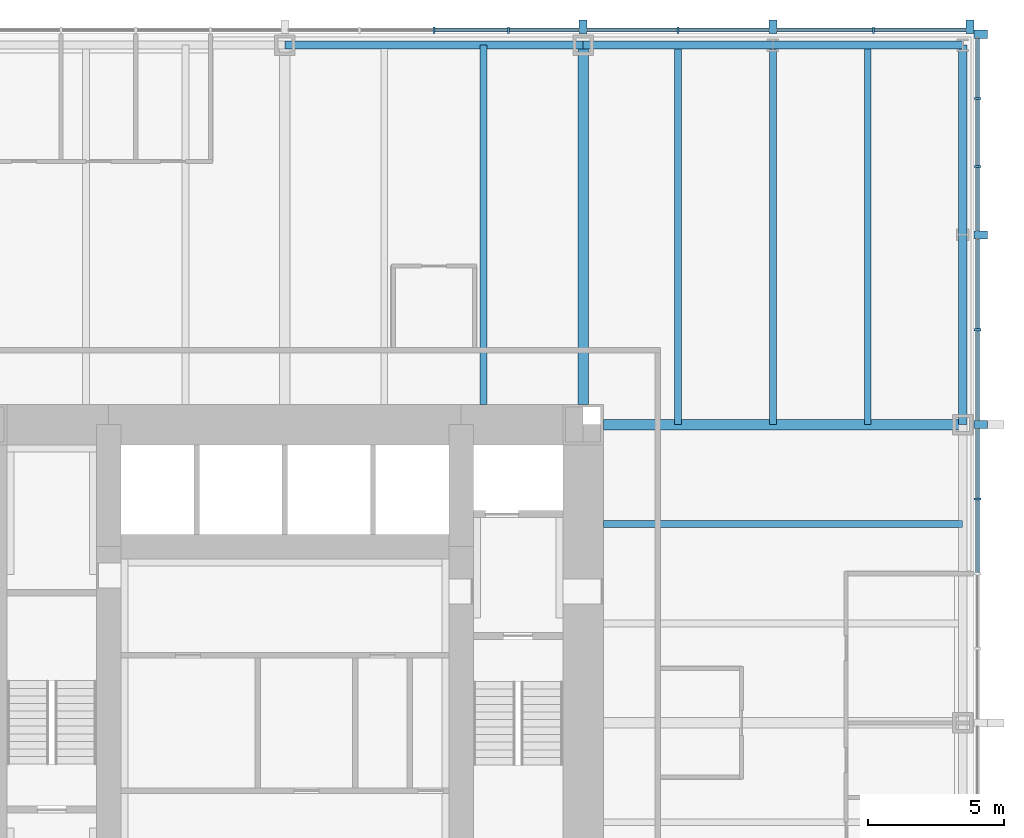
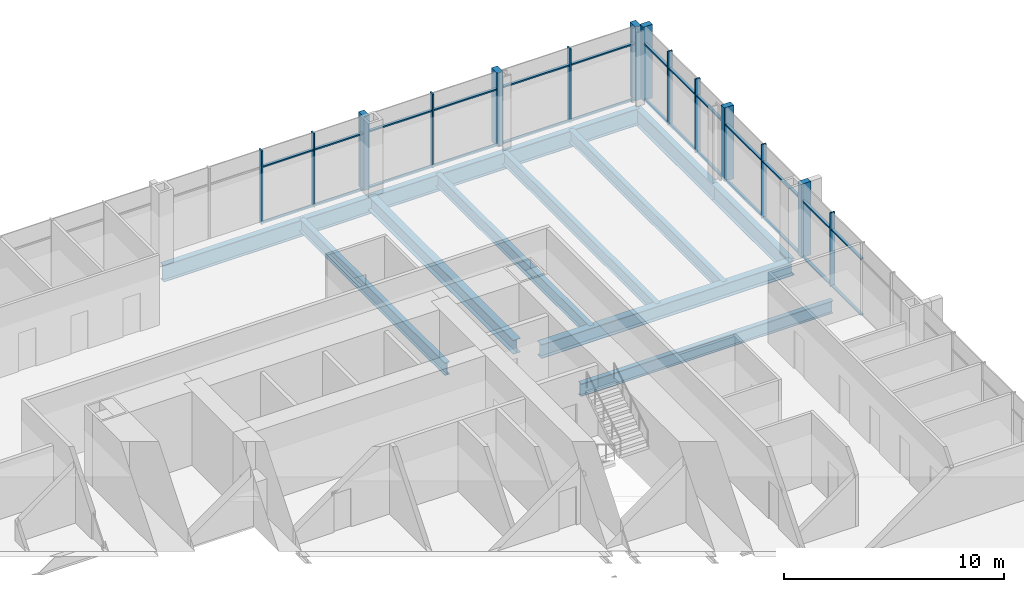
# One storey, part 6 of 12: 40 members, 12 beams, 2 elements without a shape of their own.
"""IFC4 building model written with IfcOpenShell, lengths in metres."""

import ifcopenshell
import ifcopenshell.guid

model = None  # the IFC model being written
_history = None  # IfcOwnerHistory: only IFC2X3 demands one
_inside = {}  # id of a spatial element -> (the spatial element, [elements in it])
_under = {}  # id of a project, library or spatial element -> (it, [spatial elements below it])
_declared = {}  # id of a project -> (the project, [libraries it declares])
_typed = {}  # id of a type object -> (the type object, [elements of that type])
_made_of = {}  # id of a material, layer set ... -> (it, [elements and type objects made of it])


def new_model(schema):
    """Start an empty IFC model of exactly this schema.

    Asked for "IFC4X3", IfcOpenShell would pick the latest addendum, in which some entities
    have other attributes; the version numbers below select the first issue.
    IFC2X3 requires an IfcOwnerHistory on every rooted entity: one is made here for all.
    """
    global model, _history
    if schema == "IFC4X3":
        model = ifcopenshell.file(schema_version=(4, 3, 0, 0))
    else:
        model = ifcopenshell.file(schema=schema)
    _inside.clear()
    _under.clear()
    _declared.clear()
    _typed.clear()
    _made_of.clear()
    _history = None
    if model.schema == "IFC2X3":
        org = make("IfcOrganization", Name="unknown")
        user = make(
            "IfcPersonAndOrganization",
            ThePerson=make("IfcPerson", FamilyName="unknown"),
            TheOrganization=org,
        )
        app = make(
            "IfcApplication",
            ApplicationDeveloper=org,
            Version="unknown",
            ApplicationFullName="unknown",
            ApplicationIdentifier="unknown",
        )
        _history = make(
            "IfcOwnerHistory",
            OwningUser=user,
            OwningApplication=app,
            ChangeAction="ADDED",
            CreationDate=0,
        )
    return model


def make(cls, **values):
    """One entity of the class cls with the attributes given. An attribute that is None is left unset."""
    return model.create_entity(
        cls, **{name: value for name, value in values.items() if value is not None}
    )


def rooted(cls, **values):
    """An entity with a GlobalId (a new one), such as an element, a storey or a relation."""
    return make(cls, GlobalId=ifcopenshell.guid.new(), OwnerHistory=_history, **values)


def si_unit(unit_type, name, prefix=None):
    """IfcSIUnit, for example si_unit("LENGTHUNIT", "METRE", prefix="MILLI")."""
    return make("IfcSIUnit", UnitType=unit_type, Prefix=prefix, Name=name)


def assignment(units):
    """IfcUnitAssignment: the units of a project."""
    return None if units is None else make("IfcUnitAssignment", Units=units)


def point(xyz):
    """IfcCartesianPoint."""
    return None if xyz is None else make("IfcCartesianPoint", Coordinates=xyz)


def direction(xyz):
    """IfcDirection."""
    return None if xyz is None else make("IfcDirection", DirectionRatios=xyz)


def frame(location, z_axis=None, x_axis=None):
    """IfcAxis2Placement3D, a coordinate frame: its origin and axes. An axis left out is left unset."""
    return make(
        "IfcAxis2Placement3D",
        Location=point(location),
        Axis=direction(z_axis),
        RefDirection=direction(x_axis),
    )


def frame_2d(location, x_axis=None):
    """IfcAxis2Placement2D, a coordinate frame in the plane: its origin and x axis."""
    return make(
        "IfcAxis2Placement2D", Location=point(location), RefDirection=direction(x_axis)
    )


def origin():
    """The frame at (0, 0, 0) with its axes left unset."""
    return frame((0.0, 0.0, 0.0))


def origin_2d():
    """The frame at (0, 0) in the plane with its x axis left unset."""
    return frame_2d((0.0, 0.0))


def place(relative_to, where):
    """IfcLocalPlacement: puts the frame where relative to a parent placement (None: the world)."""
    return make(
        "IfcLocalPlacement", PlacementRelTo=relative_to, RelativePlacement=where
    )


def context(
    kind, dimensions, precision=None, world=None, true_north=None, identifier=None
):
    """IfcGeometricRepresentationContext, for example the 3D "Model" context."""
    return make(
        "IfcGeometricRepresentationContext",
        ContextIdentifier=identifier,
        ContextType=kind,
        CoordinateSpaceDimension=dimensions,
        Precision=precision,
        WorldCoordinateSystem=world,
        TrueNorth=true_north,
    )


def subcontext(parent, identifier, kind, view, scale=None):
    """IfcGeometricRepresentationSubContext, for example "Body" below "Model"."""
    return make(
        "IfcGeometricRepresentationSubContext",
        ContextIdentifier=identifier,
        ContextType=kind,
        ParentContext=parent,
        TargetScale=scale,
        TargetView=view,
    )


def project(units=None, contexts=None):
    """IfcProject with its units and contexts."""
    return rooted(
        "IfcProject",
        Name="project",
        RepresentationContexts=contexts,
        UnitsInContext=assignment(units),
    )


def spatial(cls, under=None, at=None, **own):
    """A site, building, storey or space (cls), placed at a placement, below another one or the project."""
    s = rooted(cls, ObjectPlacement=at, **own)
    if under is not None:
        _under.setdefault(under.id(), (under, []))[1].append(s)
    return s


def profile(cls, at=None, kind="AREA", **sizes):
    """A parametric profile (cls). Its sizes go by their IFC names, for example OverallWidth=200.0."""
    return make(cls, ProfileType=kind, Position=at, **sizes)


def rectangle(**sizes):
    """IfcRectangleProfileDef."""
    return profile("IfcRectangleProfileDef", **sizes)


def i_section(**sizes):
    """IfcIShapeProfileDef."""
    return profile("IfcIShapeProfileDef", **sizes)


def extrude(swept, where, along, depth):
    """IfcExtrudedAreaSolid: the profile swept, set in the frame where, extruded along a direction by depth."""
    return make(
        "IfcExtrudedAreaSolid",
        SweptArea=swept,
        Position=where,
        ExtrudedDirection=direction(along),
        Depth=depth,
    )


def shape(context_of_items, identifier, shape_type, items):
    """IfcShapeRepresentation: the items that make up one representation, for example the "Body"."""
    return make(
        "IfcShapeRepresentation",
        ContextOfItems=context_of_items,
        RepresentationIdentifier=identifier,
        RepresentationType=shape_type,
        Items=items,
    )


def material(Name=None, Category=None):
    """IfcMaterial."""
    return make("IfcMaterial", Name=Name, Category=Category)


def material_profile(
    of_material, cross_section, Name=None, Category=None, Priority=None
):
    """IfcMaterialProfile: a cross section and its material."""
    return make(
        "IfcMaterialProfile",
        Name=Name,
        Material=of_material,
        Profile=cross_section,
        Priority=Priority,
        Category=Category,
    )


def profile_set(profiles, Name=None, composite=None):
    """IfcMaterialProfileSet."""
    return make(
        "IfcMaterialProfileSet",
        Name=Name,
        MaterialProfiles=profiles,
        CompositeProfile=composite,
    )


def made_of(thing, what):
    """Note that an element or type object is made of a material, layer set ...; save() writes the relation."""
    if what is not None:
        _made_of.setdefault(what.id(), (what, []))[1].append(thing)
    return thing


def type_object(cls, material=None, **own):
    """A type object (cls), such as IfcWallType, which elements share."""
    return made_of(rooted(cls, **own), material)


def element(
    cls,
    number,
    at=None,
    inside=None,
    cuts=None,
    type_object=None,
    material=None,
    context=None,
    identifier="Body",
    shape_type=None,
    held_by="IfcProductDefinitionShape",
    body=None,
    shapes=None,
    **own,
):
    """One element of the class cls, such as IfcWall. Its Tag is "e" and its number.

    at: its placement. inside: the storey or other place that contains it. cuts: it is an
    opening in that element (IfcRelVoidsElement). A single representation is given by context,
    identifier, shape_type and body (its items); several are given by shapes. held_by: the class
    of the entity that holds the representations. save() writes the other relations.
    """
    e = rooted(cls, Tag="e%d" % number, ObjectPlacement=at, **own)
    if body is not None:
        shapes = [shape(context, identifier, shape_type, body)]
    if shapes is not None:
        e.Representation = make(held_by, Representations=shapes)
    if inside is not None:
        _inside.setdefault(inside.id(), (inside, []))[1].append(e)
    if cuts is not None:
        rooted(
            "IfcRelVoidsElement", RelatingBuildingElement=cuts, RelatedOpeningElement=e
        )
    if type_object is not None:
        _typed.setdefault(type_object.id(), (type_object, []))[1].append(e)
    return made_of(e, material)


def aggregate(whole, parts):
    """IfcRelAggregates: a whole, such as a stair, and the parts it consists of."""
    return rooted("IfcRelAggregates", RelatingObject=whole, RelatedObjects=parts)


def save(model, path):
    """Write the relations noted so far, then the file.

    IfcRelAggregates (storeys below a building ...), IfcRelContainedInSpatialStructure (elements
    in a storey), IfcRelDefinesByType, IfcRelAssociatesMaterial and IfcRelDeclares: one each for
    every whole, place, type object, material and project.
    """
    for whole, parts in _under.values():
        aggregate(whole, parts)
    for where, things in _inside.values():
        rooted(
            "IfcRelContainedInSpatialStructure",
            RelatedElements=things,
            RelatingStructure=where,
        )
    for kind, things in _typed.values():
        rooted("IfcRelDefinesByType", RelatedObjects=things, RelatingType=kind)
    for what, things in _made_of.values():
        rooted("IfcRelAssociatesMaterial", RelatedObjects=things, RelatingMaterial=what)
    for by, libraries in _declared.values():
        rooted("IfcRelDeclares", RelatingContext=by, RelatedDefinitions=libraries)
    model.write(path)


model = new_model("IFC4")

# Units and contexts
model_context = context("Model", 3, precision=1e-05, world=origin(), true_north=direction((0.0, 1.0)))
body_context = subcontext(model_context, "Body", "Model", "MODEL_VIEW")
ifc_project = project(units=[si_unit("LENGTHUNIT", "METRE"), si_unit("AREAUNIT", "SQUARE_METRE"), si_unit("VOLUMEUNIT", "CUBIC_METRE"), si_unit("PLANEANGLEUNIT", "RADIAN"), si_unit("MASSUNIT", "GRAM", prefix="KILO")], contexts=[model_context])

# Site, building, storey
site_placement = place(None, origin())
site = spatial("IfcSite", under=ifc_project, at=site_placement, CompositionType="ELEMENT")
building_placement = place(site_placement, origin())
building = spatial("IfcBuilding", under=site, at=building_placement, Name="Trevanion Tower", CompositionType="ELEMENT")
storey_placement = place(building_placement, frame((0.0, 0.0, 36.5)))
storey = spatial("IfcBuildingStorey", under=building, at=storey_placement, Name="L08", CompositionType="ELEMENT", Elevation=36.5)

# Beams
ifc_material_1 = material(Name="Steel ASTM A992 Grade 50", Category="steel")
ifc_material_profile_1 = material_profile(ifc_material_1, i_section(OverallWidth=0.25390625, OverallDepth=0.700927734375, WebThickness=0.015380859375, FlangeThickness=0.02783203125, at=origin_2d()), Name="W27X129")
ifc_profile_set_1 = profile_set([ifc_material_profile_1], Name="Steel ASTM A992 Grade 50")
beam_type_1 = type_object("IfcBeamType", Name="B3 W27X129", PredefinedType="BEAM", material=ifc_profile_set_1)
for number, where, z_axis, x_axis, name in (
    (1, (11.75, 7.333251953125, -0.54052734375), (1.0, 0.0, 0.0), (0.0, 1.0, 0.0), "B3 L08"),
    (2, (7.333251953125, 11.75, -0.54052734375), (0.0, 1.0, 0.0), (-1.0, 0.0, 0.0), "B3 L08"),
):
    element("IfcBeam", number, at=place(storey_placement, frame(where, z_axis=z_axis, x_axis=x_axis)), inside=storey, type_object=beam_type_1, Name=name, PredefinedType="BEAM", context=body_context, shape_type="SweptSolid", body=[
        extrude(i_section(OverallWidth=0.25390625, OverallDepth=0.700927734375, WebThickness=0.015380859375, FlangeThickness=0.02783203125, at=origin_2d()), origin(), (0.0, 0.0, 1.0), 13.25),
    ])
ifc_material_2 = material(Name="Steel ASTM A992 Grade 50", Category="steel")
ifc_material_profile_2 = material_profile(ifc_material_2, i_section(OverallWidth=0.256591796875, OverallDepth=0.693359375, WebThickness=0.014404296875, FlangeThickness=0.023681640625, at=origin_2d()), Name="W27X114")
ifc_profile_set_2 = profile_set([ifc_material_profile_2], Name="Steel ASTM A992 Grade 50")
beam_type_2 = type_object("IfcBeamType", Name="B4 W27X114", PredefinedType="BEAM", material=ifc_profile_set_2)
for number, where, z_axis, x_axis, name in (
    (3, (14.5, 11.0, -0.53662109375), (0.0, 1.0, 0.0), (-1.0, 0.0, 0.0), "B4 L08"),
    (4, (18.0, 11.0, -0.53662109375), (0.0, 1.0, 0.0), (-1.0, 0.0, 0.0), "B4 L08"),
    (5, (21.5, 11.0, -0.53662109375), (0.0, 1.0, 0.0), (-1.0, 0.0, 0.0), "B4 L08"),
):
    element("IfcBeam", number, at=place(storey_placement, frame(where, z_axis=z_axis, x_axis=x_axis)), inside=storey, type_object=beam_type_2, Name=name, PredefinedType="BEAM", context=body_context, shape_type="SweptSolid", body=[
        extrude(i_section(OverallWidth=0.256591796875, OverallDepth=0.693359375, WebThickness=0.014404296875, FlangeThickness=0.023681640625, at=origin_2d()), origin(), (0.0, 0.0, 1.0), 14.0),
    ])

# Curtain wall, members
ifc_material_3 = material(Name="Aluminium and glass", Category="aluminium")
curtain_wall_type = type_object("IfcCurtainWallType", Name="CW1 curtain wall", PredefinedType="USERDEFINED", material=ifc_material_3)
curtain_wall_1_placement = place(storey_placement, origin())
curtain_wall_1 = element("IfcCurtainWall", 6, at=curtain_wall_1_placement, inside=storey, type_object=curtain_wall_type, Name="CW1 L08 0", ObjectType="UNITISED CURTAIN WALL", PredefinedType="USERDEFINED")
ifc_material_4 = material(Name="Aluminium extrusion, anodised bronze", Category="aluminium")
ifc_material_profile_3 = material_profile(ifc_material_4, rectangle(XDim=0.074951171875, YDim=0.25, at=origin_2d()), Name="CW1 mullion")
ifc_profile_set_3 = profile_set([ifc_material_profile_3], Name="Aluminium extrusion, anodised bronze")
member_type_1 = type_object("IfcMemberType", Name="CW1 mullion", PredefinedType="MULLION", material=ifc_profile_set_3)
member_1_placement = place(storey_placement, frame((25.550048828125, 8.25, -0.18994140625), z_axis=(0.0, 0.0, 1.0), x_axis=(0.0, 1.0, 0.0)))
member_1 = element("IfcMember", 7, at=member_1_placement, type_object=member_type_1, Name="CW1 mullion 12", PredefinedType="MULLION", context=body_context, shape_type="SweptSolid", body=[
    extrude(rectangle(XDim=0.074951171875, YDim=0.25, at=origin_2d()), origin(), (0.0, 0.0, 1.0), 4.099853515625),
])
member_2_placement = place(storey_placement, frame((25.550048828125, 14.5, -0.18994140625), z_axis=(0.0, 0.0, 1.0), x_axis=(0.0, 1.0, 0.0)))
member_2 = element("IfcMember", 8, at=member_2_placement, type_object=member_type_1, Name="CW1 mullion 14", PredefinedType="MULLION", context=body_context, shape_type="SweptSolid", body=[
    extrude(rectangle(XDim=0.074951171875, YDim=0.25, at=origin_2d()), origin(), (0.0, 0.0, 1.0), 4.099853515625),
])
member_3_placement = place(storey_placement, frame((25.550048828125, 20.5166015625, -0.18994140625), z_axis=(0.0, 0.0, 1.0), x_axis=(0.0, 1.0, 0.0)))
member_3 = element("IfcMember", 9, at=member_3_placement, type_object=member_type_1, Name="CW1 mullion 16", PredefinedType="MULLION", context=body_context, shape_type="SweptSolid", body=[
    extrude(rectangle(XDim=0.074951171875, YDim=0.25, at=origin_2d()), origin(), (0.0, 0.0, 1.0), 4.099853515625),
])
member_4_placement = place(storey_placement, frame((25.550048828125, 23.033203125, -0.18994140625), z_axis=(0.0, 0.0, 1.0), x_axis=(0.0, 1.0, 0.0)))
member_4 = element("IfcMember", 10, at=member_4_placement, type_object=member_type_1, Name="CW1 mullion 17", PredefinedType="MULLION", context=body_context, shape_type="SweptSolid", body=[
    extrude(rectangle(XDim=0.074951171875, YDim=0.25, at=origin_2d()), origin(), (0.0, 0.0, 1.0), 4.099853515625),
])

curtain_wall_2_placement = place(storey_placement, origin())
curtain_wall_2 = element("IfcCurtainWall", 11, at=curtain_wall_2_placement, inside=storey, type_object=curtain_wall_type, Name="CW1 L08 1", ObjectType="UNITISED CURTAIN WALL", PredefinedType="USERDEFINED")
member_5_placement = place(storey_placement, frame((21.7099609375, 25.550048828125, -0.18994140625), z_axis=(0.0, 0.0, 1.0), x_axis=(-1.0, 0.0, 0.0)))
member_5 = element("IfcMember", 12, at=member_5_placement, type_object=member_type_1, Name="CW1 mullion 2", PredefinedType="MULLION", context=body_context, shape_type="SweptSolid", body=[
    extrude(rectangle(XDim=0.074951171875, YDim=0.25, at=origin_2d()), origin(), (0.0, 0.0, 1.0), 4.099853515625),
])
member_6_placement = place(storey_placement, frame((14.5, 25.550048828125, -0.18994140625), z_axis=(0.0, 0.0, 1.0), x_axis=(-1.0, 0.0, 0.0)))
member_6 = element("IfcMember", 13, at=member_6_placement, type_object=member_type_1, Name="CW1 mullion 4", PredefinedType="MULLION", context=body_context, shape_type="SweptSolid", body=[
    extrude(rectangle(XDim=0.074951171875, YDim=0.25, at=origin_2d()), origin(), (0.0, 0.0, 1.0), 4.099853515625),
])
member_7_placement = place(storey_placement, frame((8.25, 25.550048828125, -0.18994140625), z_axis=(0.0, 0.0, 1.0), x_axis=(-1.0, 0.0, 0.0)))
member_7 = element("IfcMember", 14, at=member_7_placement, type_object=member_type_1, Name="CW1 mullion 6", PredefinedType="MULLION", context=body_context, shape_type="SweptSolid", body=[
    extrude(rectangle(XDim=0.074951171875, YDim=0.25, at=origin_2d()), origin(), (0.0, 0.0, 1.0), 4.099853515625),
])
member_8_placement = place(storey_placement, frame((5.5, 25.550048828125, -0.18994140625), z_axis=(0.0, 0.0, 1.0), x_axis=(-1.0, 0.0, 0.0)))
member_8 = element("IfcMember", 15, at=member_8_placement, type_object=member_type_1, Name="CW1 mullion 7", PredefinedType="MULLION", context=body_context, shape_type="SweptSolid", body=[
    extrude(rectangle(XDim=0.074951171875, YDim=0.25, at=origin_2d()), origin(), (0.0, 0.0, 1.0), 4.099853515625),
])

# Member
ifc_material_5 = material(Name="Aluminium extrusion, anodised bronze", Category="aluminium")
ifc_material_profile_4 = material_profile(ifc_material_5, rectangle(XDim=0.300048828125, YDim=0.5, at=origin_2d()), Name="CW1 pier mullion")
ifc_profile_set_4 = profile_set([ifc_material_profile_4], Name="Aluminium extrusion, anodised bronze")
member_type_2 = type_object("IfcMemberType", Name="CW1 pier mullion", PredefinedType="MULLION", material=ifc_profile_set_4)
member_9_placement = place(storey_placement, frame((25.675048828125, 11.0, -0.18994140625), z_axis=(0.0, 0.0, 1.0), x_axis=(0.0, 1.0, 0.0)))
member_9 = element("IfcMember", 16, at=member_9_placement, type_object=member_type_2, Name="CW1 pier mullion 13", PredefinedType="MULLION", context=body_context, shape_type="SweptSolid", body=[
    extrude(rectangle(XDim=0.300048828125, YDim=0.5, at=origin_2d()), origin(), (0.0, 0.0, 1.0), 4.099853515625),
])

member_10_placement = place(storey_placement, frame((25.675048828125, 18.0, -0.18994140625), z_axis=(0.0, 0.0, 1.0), x_axis=(0.0, 1.0, 0.0)))
member_10 = element("IfcMember", 17, at=member_10_placement, type_object=member_type_2, Name="CW1 pier mullion 15", PredefinedType="MULLION", context=body_context, shape_type="SweptSolid", body=[
    extrude(rectangle(XDim=0.300048828125, YDim=0.5, at=origin_2d()), origin(), (0.0, 0.0, 1.0), 4.099853515625),
])

member_11_placement = place(storey_placement, frame((25.675048828125, 25.39990234375, -0.18994140625), z_axis=(0.0, 0.0, 1.0), x_axis=(0.0, 1.0, 0.0)))
member_11 = element("IfcMember", 18, at=member_11_placement, type_object=member_type_2, Name="CW1 pier mullion 18", PredefinedType="MULLION", context=body_context, shape_type="SweptSolid", body=[
    extrude(rectangle(XDim=0.300048828125, YDim=0.5, at=origin_2d()), origin(), (0.0, 0.0, 1.0), 4.099853515625),
])

member_12_placement = place(storey_placement, frame((25.27001953125, 25.675048828125, -0.18994140625), z_axis=(0.0, 0.0, 1.0), x_axis=(-1.0, 0.0, 0.0)))
member_12 = element("IfcMember", 19, at=member_12_placement, type_object=member_type_2, Name="CW1 pier mullion 1", PredefinedType="MULLION", context=body_context, shape_type="SweptSolid", body=[
    extrude(rectangle(XDim=0.300048828125, YDim=0.5, at=origin_2d()), origin(), (0.0, 0.0, 1.0), 4.099853515625),
])

member_13_placement = place(storey_placement, frame((18.0, 25.675048828125, -0.18994140625), z_axis=(0.0, 0.0, 1.0), x_axis=(-1.0, 0.0, 0.0)))
member_13 = element("IfcMember", 20, at=member_13_placement, type_object=member_type_2, Name="CW1 pier mullion 3", PredefinedType="MULLION", context=body_context, shape_type="SweptSolid", body=[
    extrude(rectangle(XDim=0.300048828125, YDim=0.5, at=origin_2d()), origin(), (0.0, 0.0, 1.0), 4.099853515625),
])

member_14_placement = place(storey_placement, frame((11.0, 25.675048828125, -0.18994140625), z_axis=(0.0, 0.0, 1.0), x_axis=(-1.0, 0.0, 0.0)))
member_14 = element("IfcMember", 21, at=member_14_placement, type_object=member_type_2, Name="CW1 pier mullion 5", PredefinedType="MULLION", context=body_context, shape_type="SweptSolid", body=[
    extrude(rectangle(XDim=0.300048828125, YDim=0.5, at=origin_2d()), origin(), (0.0, 0.0, 1.0), 4.099853515625),
])

ifc_material_6 = material(Name="Aluminium extrusion, anodised bronze", Category="aluminium")
ifc_material_profile_5 = material_profile(ifc_material_6, rectangle(XDim=0.14990234375, YDim=0.074951171875, at=origin_2d()), Name="CW1 transom")
ifc_profile_set_5 = profile_set([ifc_material_profile_5], Name="Aluminium extrusion, anodised bronze")
member_type_3 = type_object("IfcMemberType", Name="CW1 transom", PredefinedType="USERDEFINED", material=ifc_profile_set_5)
member_15_placement = place(storey_placement, frame((25.550048828125, 5.53759765625, -0.152587890625), z_axis=(0.0, 1.0, 0.0), x_axis=(-1.0, 0.0, 0.0)))
member_15 = element("IfcMember", 22, at=member_15_placement, type_object=member_type_3, Name="CW1 transom 11.1", ObjectType="TRANSOM", PredefinedType="USERDEFINED", context=body_context, shape_type="SweptSolid", body=[
    extrude(rectangle(XDim=0.14990234375, YDim=0.074951171875, at=origin_2d()), origin(), (0.0, 0.0, 1.0), 2.6748046875),
])

member_16_placement = place(storey_placement, frame((25.550048828125, 5.53759765625, 2.9599609375), z_axis=(0.0, 1.0, 0.0), x_axis=(-1.0, 0.0, 0.0)))
member_16 = element("IfcMember", 23, at=member_16_placement, type_object=member_type_3, Name="CW1 transom 11.2", ObjectType="TRANSOM", PredefinedType="USERDEFINED", context=body_context, shape_type="SweptSolid", body=[
    extrude(rectangle(XDim=0.14990234375, YDim=0.074951171875, at=origin_2d()), origin(), (0.0, 0.0, 1.0), 2.6748046875),
])

member_17_placement = place(storey_placement, frame((25.550048828125, 8.28759765625, -0.152587890625), z_axis=(0.0, 1.0, 0.0), x_axis=(-1.0, 0.0, 0.0)))
member_17 = element("IfcMember", 24, at=member_17_placement, type_object=member_type_3, Name="CW1 transom 12.1", ObjectType="TRANSOM", PredefinedType="USERDEFINED", context=body_context, shape_type="SweptSolid", body=[
    extrude(rectangle(XDim=0.14990234375, YDim=0.074951171875, at=origin_2d()), origin(), (0.0, 0.0, 1.0), 2.5625),
])

member_18_placement = place(storey_placement, frame((25.550048828125, 8.28759765625, 2.9599609375), z_axis=(0.0, 1.0, 0.0), x_axis=(-1.0, 0.0, 0.0)))
member_18 = element("IfcMember", 25, at=member_18_placement, type_object=member_type_3, Name="CW1 transom 12.2", ObjectType="TRANSOM", PredefinedType="USERDEFINED", context=body_context, shape_type="SweptSolid", body=[
    extrude(rectangle(XDim=0.14990234375, YDim=0.074951171875, at=origin_2d()), origin(), (0.0, 0.0, 1.0), 2.5625),
])

member_19_placement = place(storey_placement, frame((25.550048828125, 11.14990234375, -0.152587890625), z_axis=(0.0, 1.0, 0.0), x_axis=(-1.0, 0.0, 0.0)))
member_19 = element("IfcMember", 26, at=member_19_placement, type_object=member_type_3, Name="CW1 transom 13.1", ObjectType="TRANSOM", PredefinedType="USERDEFINED", context=body_context, shape_type="SweptSolid", body=[
    extrude(rectangle(XDim=0.14990234375, YDim=0.074951171875, at=origin_2d()), origin(), (0.0, 0.0, 1.0), 3.3125),
])

member_20_placement = place(storey_placement, frame((25.550048828125, 11.14990234375, 2.9599609375), z_axis=(0.0, 1.0, 0.0), x_axis=(-1.0, 0.0, 0.0)))
member_20 = element("IfcMember", 27, at=member_20_placement, type_object=member_type_3, Name="CW1 transom 13.2", ObjectType="TRANSOM", PredefinedType="USERDEFINED", context=body_context, shape_type="SweptSolid", body=[
    extrude(rectangle(XDim=0.14990234375, YDim=0.074951171875, at=origin_2d()), origin(), (0.0, 0.0, 1.0), 3.3125),
])

member_21_placement = place(storey_placement, frame((25.550048828125, 14.53759765625, -0.152587890625), z_axis=(0.0, 1.0, 0.0), x_axis=(-1.0, 0.0, 0.0)))
member_21 = element("IfcMember", 28, at=member_21_placement, type_object=member_type_3, Name="CW1 transom 14.1", ObjectType="TRANSOM", PredefinedType="USERDEFINED", context=body_context, shape_type="SweptSolid", body=[
    extrude(rectangle(XDim=0.14990234375, YDim=0.074951171875, at=origin_2d()), origin(), (0.0, 0.0, 1.0), 3.3125),
])

member_22_placement = place(storey_placement, frame((25.550048828125, 14.53759765625, 2.9599609375), z_axis=(0.0, 1.0, 0.0), x_axis=(-1.0, 0.0, 0.0)))
member_22 = element("IfcMember", 29, at=member_22_placement, type_object=member_type_3, Name="CW1 transom 14.2", ObjectType="TRANSOM", PredefinedType="USERDEFINED", context=body_context, shape_type="SweptSolid", body=[
    extrude(rectangle(XDim=0.14990234375, YDim=0.074951171875, at=origin_2d()), origin(), (0.0, 0.0, 1.0), 3.3125),
])

member_23_placement = place(storey_placement, frame((25.550048828125, 18.14990234375, -0.152587890625), z_axis=(0.0, 1.0, 0.0), x_axis=(-1.0, 0.0, 0.0)))
member_23 = element("IfcMember", 30, at=member_23_placement, type_object=member_type_3, Name="CW1 transom 15.1", ObjectType="TRANSOM", PredefinedType="USERDEFINED", context=body_context, shape_type="SweptSolid", body=[
    extrude(rectangle(XDim=0.14990234375, YDim=0.074951171875, at=origin_2d()), origin(), (0.0, 0.0, 1.0), 2.329345703125),
])

member_24_placement = place(storey_placement, frame((25.550048828125, 18.14990234375, 2.9599609375), z_axis=(0.0, 1.0, 0.0), x_axis=(-1.0, 0.0, 0.0)))
member_24 = element("IfcMember", 31, at=member_24_placement, type_object=member_type_3, Name="CW1 transom 15.2", ObjectType="TRANSOM", PredefinedType="USERDEFINED", context=body_context, shape_type="SweptSolid", body=[
    extrude(rectangle(XDim=0.14990234375, YDim=0.074951171875, at=origin_2d()), origin(), (0.0, 0.0, 1.0), 2.329345703125),
])

member_25_placement = place(storey_placement, frame((25.550048828125, 20.55419921875, -0.152587890625), z_axis=(0.0, 1.0, 0.0), x_axis=(-1.0, 0.0, 0.0)))
member_25 = element("IfcMember", 32, at=member_25_placement, type_object=member_type_3, Name="CW1 transom 16.1", ObjectType="TRANSOM", PredefinedType="USERDEFINED", context=body_context, shape_type="SweptSolid", body=[
    extrude(rectangle(XDim=0.14990234375, YDim=0.074951171875, at=origin_2d()), origin(), (0.0, 0.0, 1.0), 2.441650390625),
])

member_26_placement = place(storey_placement, frame((25.550048828125, 20.55419921875, 2.9599609375), z_axis=(0.0, 1.0, 0.0), x_axis=(-1.0, 0.0, 0.0)))
member_26 = element("IfcMember", 33, at=member_26_placement, type_object=member_type_3, Name="CW1 transom 16.2", ObjectType="TRANSOM", PredefinedType="USERDEFINED", context=body_context, shape_type="SweptSolid", body=[
    extrude(rectangle(XDim=0.14990234375, YDim=0.074951171875, at=origin_2d()), origin(), (0.0, 0.0, 1.0), 2.441650390625),
])

member_27_placement = place(storey_placement, frame((25.550048828125, 23.07080078125, -0.152587890625), z_axis=(0.0, 1.0, 0.0), x_axis=(-1.0, 0.0, 0.0)))
member_27 = element("IfcMember", 34, at=member_27_placement, type_object=member_type_3, Name="CW1 transom 17.1", ObjectType="TRANSOM", PredefinedType="USERDEFINED", context=body_context, shape_type="SweptSolid", body=[
    extrude(rectangle(XDim=0.14990234375, YDim=0.074951171875, at=origin_2d()), origin(), (0.0, 0.0, 1.0), 2.17919921875),
])

member_28_placement = place(storey_placement, frame((25.550048828125, 23.07080078125, 2.9599609375), z_axis=(0.0, 1.0, 0.0), x_axis=(-1.0, 0.0, 0.0)))
member_28 = element("IfcMember", 35, at=member_28_placement, type_object=member_type_3, Name="CW1 transom 17.2", ObjectType="TRANSOM", PredefinedType="USERDEFINED", context=body_context, shape_type="SweptSolid", body=[
    extrude(rectangle(XDim=0.14990234375, YDim=0.074951171875, at=origin_2d()), origin(), (0.0, 0.0, 1.0), 2.17919921875),
])

aggregate(curtain_wall_1, [member_1, member_9, member_2, member_10, member_3, member_4, member_11, member_15, member_16, member_17, member_18, member_19, member_20, member_21, member_22, member_23, member_24, member_25, member_26, member_27, member_28])

member_29_placement = place(storey_placement, frame((25.1201171875, 25.550048828125, -0.152587890625), z_axis=(-1.0, 0.0, 0.0), x_axis=(0.0, -1.0, 0.0)))
member_29 = element("IfcMember", 36, at=member_29_placement, type_object=member_type_3, Name="CW1 transom 1.1", ObjectType="TRANSOM", PredefinedType="USERDEFINED", context=body_context, shape_type="SweptSolid", body=[
    extrude(rectangle(XDim=0.14990234375, YDim=0.074951171875, at=origin_2d()), origin(), (0.0, 0.0, 1.0), 3.37255859375),
])

member_30_placement = place(storey_placement, frame((25.1201171875, 25.550048828125, 2.9599609375), z_axis=(-1.0, 0.0, 0.0), x_axis=(0.0, -1.0, 0.0)))
member_30 = element("IfcMember", 37, at=member_30_placement, type_object=member_type_3, Name="CW1 transom 1.2", ObjectType="TRANSOM", PredefinedType="USERDEFINED", context=body_context, shape_type="SweptSolid", body=[
    extrude(rectangle(XDim=0.14990234375, YDim=0.074951171875, at=origin_2d()), origin(), (0.0, 0.0, 1.0), 3.37255859375),
])

member_31_placement = place(storey_placement, frame((21.672607421875, 25.550048828125, -0.152587890625), z_axis=(-1.0, 0.0, 0.0), x_axis=(0.0, -1.0, 0.0)))
member_31 = element("IfcMember", 38, at=member_31_placement, type_object=member_type_3, Name="CW1 transom 2.1", ObjectType="TRANSOM", PredefinedType="USERDEFINED", context=body_context, shape_type="SweptSolid", body=[
    extrude(rectangle(XDim=0.14990234375, YDim=0.074951171875, at=origin_2d()), origin(), (0.0, 0.0, 1.0), 3.522705078125),
])

member_32_placement = place(storey_placement, frame((21.672607421875, 25.550048828125, 2.9599609375), z_axis=(-1.0, 0.0, 0.0), x_axis=(0.0, -1.0, 0.0)))
member_32 = element("IfcMember", 39, at=member_32_placement, type_object=member_type_3, Name="CW1 transom 2.2", ObjectType="TRANSOM", PredefinedType="USERDEFINED", context=body_context, shape_type="SweptSolid", body=[
    extrude(rectangle(XDim=0.14990234375, YDim=0.074951171875, at=origin_2d()), origin(), (0.0, 0.0, 1.0), 3.522705078125),
])

member_33_placement = place(storey_placement, frame((17.85009765625, 25.550048828125, -0.152587890625), z_axis=(-1.0, 0.0, 0.0), x_axis=(0.0, -1.0, 0.0)))
member_33 = element("IfcMember", 40, at=member_33_placement, type_object=member_type_3, Name="CW1 transom 3.1", ObjectType="TRANSOM", PredefinedType="USERDEFINED", context=body_context, shape_type="SweptSolid", body=[
    extrude(rectangle(XDim=0.14990234375, YDim=0.074951171875, at=origin_2d()), origin(), (0.0, 0.0, 1.0), 3.3125),
])

member_34_placement = place(storey_placement, frame((17.85009765625, 25.550048828125, 2.9599609375), z_axis=(-1.0, 0.0, 0.0), x_axis=(0.0, -1.0, 0.0)))
member_34 = element("IfcMember", 41, at=member_34_placement, type_object=member_type_3, Name="CW1 transom 3.2", ObjectType="TRANSOM", PredefinedType="USERDEFINED", context=body_context, shape_type="SweptSolid", body=[
    extrude(rectangle(XDim=0.14990234375, YDim=0.074951171875, at=origin_2d()), origin(), (0.0, 0.0, 1.0), 3.3125),
])

member_35_placement = place(storey_placement, frame((14.46240234375, 25.550048828125, -0.152587890625), z_axis=(-1.0, 0.0, 0.0), x_axis=(0.0, -1.0, 0.0)))
member_35 = element("IfcMember", 42, at=member_35_placement, type_object=member_type_3, Name="CW1 transom 4.1", ObjectType="TRANSOM", PredefinedType="USERDEFINED", context=body_context, shape_type="SweptSolid", body=[
    extrude(rectangle(XDim=0.14990234375, YDim=0.074951171875, at=origin_2d()), origin(), (0.0, 0.0, 1.0), 3.3125),
])

member_36_placement = place(storey_placement, frame((14.46240234375, 25.550048828125, 2.9599609375), z_axis=(-1.0, 0.0, 0.0), x_axis=(0.0, -1.0, 0.0)))
member_36 = element("IfcMember", 43, at=member_36_placement, type_object=member_type_3, Name="CW1 transom 4.2", ObjectType="TRANSOM", PredefinedType="USERDEFINED", context=body_context, shape_type="SweptSolid", body=[
    extrude(rectangle(XDim=0.14990234375, YDim=0.074951171875, at=origin_2d()), origin(), (0.0, 0.0, 1.0), 3.3125),
])

member_37_placement = place(storey_placement, frame((10.85009765625, 25.550048828125, -0.152587890625), z_axis=(-1.0, 0.0, 0.0), x_axis=(0.0, -1.0, 0.0)))
member_37 = element("IfcMember", 44, at=member_37_placement, type_object=member_type_3, Name="CW1 transom 5.1", ObjectType="TRANSOM", PredefinedType="USERDEFINED", context=body_context, shape_type="SweptSolid", body=[
    extrude(rectangle(XDim=0.14990234375, YDim=0.074951171875, at=origin_2d()), origin(), (0.0, 0.0, 1.0), 2.5625),
])

member_38_placement = place(storey_placement, frame((10.85009765625, 25.550048828125, 2.9599609375), z_axis=(-1.0, 0.0, 0.0), x_axis=(0.0, -1.0, 0.0)))
member_38 = element("IfcMember", 45, at=member_38_placement, type_object=member_type_3, Name="CW1 transom 5.2", ObjectType="TRANSOM", PredefinedType="USERDEFINED", context=body_context, shape_type="SweptSolid", body=[
    extrude(rectangle(XDim=0.14990234375, YDim=0.074951171875, at=origin_2d()), origin(), (0.0, 0.0, 1.0), 2.5625),
])

member_39_placement = place(storey_placement, frame((8.21240234375, 25.550048828125, -0.152587890625), z_axis=(-1.0, 0.0, 0.0), x_axis=(0.0, -1.0, 0.0)))
member_39 = element("IfcMember", 46, at=member_39_placement, type_object=member_type_3, Name="CW1 transom 6.1", ObjectType="TRANSOM", PredefinedType="USERDEFINED", context=body_context, shape_type="SweptSolid", body=[
    extrude(rectangle(XDim=0.14990234375, YDim=0.074951171875, at=origin_2d()), origin(), (0.0, 0.0, 1.0), 2.6748046875),
])

member_40_placement = place(storey_placement, frame((8.21240234375, 25.550048828125, 2.9599609375), z_axis=(-1.0, 0.0, 0.0), x_axis=(0.0, -1.0, 0.0)))
member_40 = element("IfcMember", 47, at=member_40_placement, type_object=member_type_3, Name="CW1 transom 6.2", ObjectType="TRANSOM", PredefinedType="USERDEFINED", context=body_context, shape_type="SweptSolid", body=[
    extrude(rectangle(XDim=0.14990234375, YDim=0.074951171875, at=origin_2d()), origin(), (0.0, 0.0, 1.0), 2.6748046875),
])

aggregate(curtain_wall_2, [member_12, member_5, member_13, member_6, member_14, member_7, member_8, member_29, member_30, member_31, member_32, member_33, member_34, member_35, member_36, member_37, member_38, member_39, member_40])

# Beams
ifc_material_7 = material(Name="Steel ASTM A992 Grade 50", Category="steel")
ifc_material_profile_6 = material_profile(ifc_material_7, i_section(OverallWidth=0.381103515625, OverallDepth=0.77978515625, WebThickness=0.01806640625, FlangeThickness=0.0302734375, at=origin_2d()), Name="W30X191")
ifc_profile_set_6 = profile_set([ifc_material_profile_6], Name="Steel ASTM A992 Grade 50")
beam_type_3 = type_object("IfcBeamType", Name="G2 W30X191", PredefinedType="BEAM", material=ifc_profile_set_6)
for number, where, z_axis, x_axis, name in (
    (48, (11.75, 11.0, -0.579833984375), (1.0, 0.0, 0.0), (0.0, 1.0, 0.0), "G2 L08"),
    (49, (11.0, 11.75, -0.579833984375), (0.0, 1.0, 0.0), (-1.0, 0.0, 0.0), "G2 L08"),
):
    element("IfcBeam", number, at=place(storey_placement, frame(where, z_axis=z_axis, x_axis=x_axis)), inside=storey, type_object=beam_type_3, Name=name, PredefinedType="BEAM", context=body_context, shape_type="SweptSolid", body=[
        extrude(i_section(OverallWidth=0.381103515625, OverallDepth=0.77978515625, WebThickness=0.01806640625, FlangeThickness=0.0302734375, at=origin_2d()), origin(), (0.0, 0.0, 1.0), 13.25),
    ])
ifc_material_8 = material(Name="Steel ASTM A992 Grade 50", Category="steel")
ifc_material_profile_7 = material_profile(ifc_material_8, i_section(OverallWidth=0.307373046875, OverallDepth=0.927001953125, WebThickness=0.01953125, FlangeThickness=0.031982421875, at=origin_2d()), Name="W36X194")
ifc_profile_set_7 = profile_set([ifc_material_profile_7], Name="Steel ASTM A992 Grade 50")
beam_type_4 = type_object("IfcBeamType", Name="SB2 W36X194", PredefinedType="SPANDREL", material=ifc_profile_set_7)
for number, where, z_axis, x_axis, name in (
    (50, (25.0, 11.0, -0.653564453125), (0.0, 1.0, 0.0), (-1.0, 0.0, 0.0), "SB2 L08"),
    (51, (25.0, 18.0, -0.653564453125), (0.0, 1.0, 0.0), (-1.0, 0.0, 0.0), "SB2 L08"),
    (52, (25.0, 25.0, -0.653564453125), (-1.0, 0.0, 0.0), (0.0, -1.0, 0.0), "SB2 L08"),
    (53, (18.0, 25.0, -0.653564453125), (-1.0, 0.0, 0.0), (0.0, -1.0, 0.0), "SB2 L08"),
):
    element("IfcBeam", number, at=place(storey_placement, frame(where, z_axis=z_axis, x_axis=x_axis)), inside=storey, type_object=beam_type_4, Name=name, PredefinedType="SPANDREL", context=body_context, shape_type="SweptSolid", body=[
        extrude(i_section(OverallWidth=0.307373046875, OverallDepth=0.927001953125, WebThickness=0.01953125, FlangeThickness=0.031982421875, at=origin_2d()), origin(), (0.0, 0.0, 1.0), 7.0),
    ])
beam_placement = place(storey_placement, frame((11.0, 25.0, -0.653564453125), z_axis=(-1.0, 0.0, 0.0), x_axis=(0.0, -1.0, 0.0)))
element("IfcBeam", 54, at=beam_placement, inside=storey, type_object=beam_type_4, Name="SB2 L08", PredefinedType="SPANDREL", context=body_context, shape_type="SweptSolid", body=[
    extrude(i_section(OverallWidth=0.307373046875, OverallDepth=0.927001953125, WebThickness=0.01953125, FlangeThickness=0.031982421875, at=origin_2d()), origin(), (0.0, 0.0, 1.0), 11.0),
])

save(model, "model.ifc")
